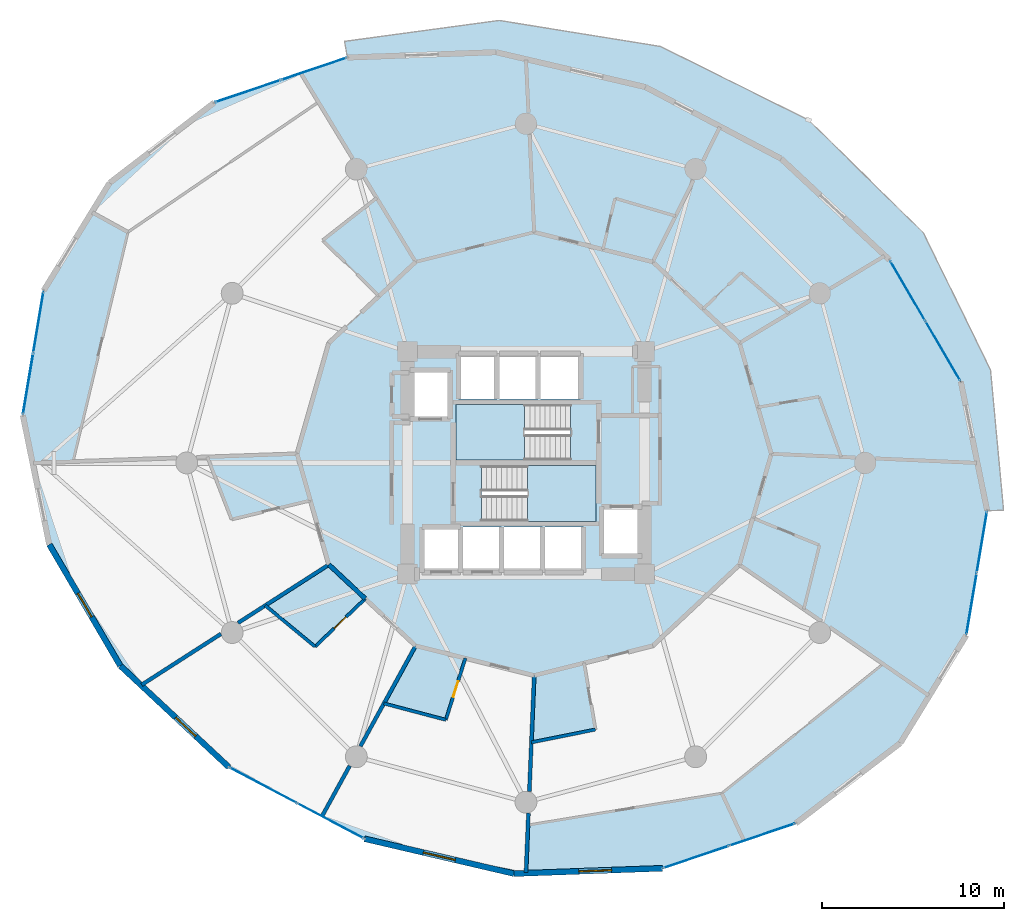
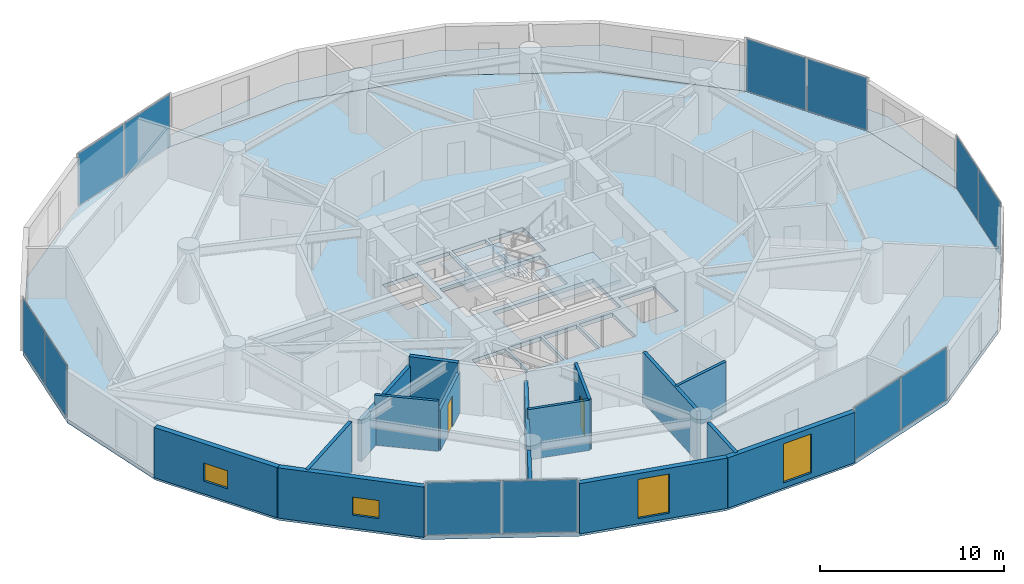
# One storey, part 17 of 23: 16 walls, 12 plates, 4 slabs, 4 windows, 2 doors, 6 openings, 8 elements without a shape of their own.
"""IFC4 building model written with IfcOpenShell, lengths in metres."""

import ifcopenshell
import ifcopenshell.guid

model = None  # the IFC model being written
_history = None  # IfcOwnerHistory: only IFC2X3 demands one
_inside = {}  # id of a spatial element -> (the spatial element, [elements in it])
_under = {}  # id of a project, library or spatial element -> (it, [spatial elements below it])
_declared = {}  # id of a project -> (the project, [libraries it declares])
_typed = {}  # id of a type object -> (the type object, [elements of that type])
_made_of = {}  # id of a material, layer set ... -> (it, [elements and type objects made of it])


def new_model(schema):
    """Start an empty IFC model of exactly this schema.

    Asked for "IFC4X3", IfcOpenShell would pick the latest addendum, in which some entities
    have other attributes; the version numbers below select the first issue.
    IFC2X3 requires an IfcOwnerHistory on every rooted entity: one is made here for all.
    """
    global model, _history
    if schema == "IFC4X3":
        model = ifcopenshell.file(schema_version=(4, 3, 0, 0))
    else:
        model = ifcopenshell.file(schema=schema)
    _inside.clear()
    _under.clear()
    _declared.clear()
    _typed.clear()
    _made_of.clear()
    _history = None
    if model.schema == "IFC2X3":
        org = make("IfcOrganization", Name="unknown")
        user = make(
            "IfcPersonAndOrganization",
            ThePerson=make("IfcPerson", FamilyName="unknown"),
            TheOrganization=org,
        )
        app = make(
            "IfcApplication",
            ApplicationDeveloper=org,
            Version="unknown",
            ApplicationFullName="unknown",
            ApplicationIdentifier="unknown",
        )
        _history = make(
            "IfcOwnerHistory",
            OwningUser=user,
            OwningApplication=app,
            ChangeAction="ADDED",
            CreationDate=0,
        )
    return model


def make(cls, **values):
    """One entity of the class cls with the attributes given. An attribute that is None is left unset."""
    return model.create_entity(
        cls, **{name: value for name, value in values.items() if value is not None}
    )


def rooted(cls, **values):
    """An entity with a GlobalId (a new one), such as an element, a storey or a relation."""
    return make(cls, GlobalId=ifcopenshell.guid.new(), OwnerHistory=_history, **values)


def si_unit(unit_type, name, prefix=None):
    """IfcSIUnit, for example si_unit("LENGTHUNIT", "METRE", prefix="MILLI")."""
    return make("IfcSIUnit", UnitType=unit_type, Prefix=prefix, Name=name)


def assignment(units):
    """IfcUnitAssignment: the units of a project."""
    return None if units is None else make("IfcUnitAssignment", Units=units)


def point(xyz):
    """IfcCartesianPoint."""
    return None if xyz is None else make("IfcCartesianPoint", Coordinates=xyz)


def direction(xyz):
    """IfcDirection."""
    return None if xyz is None else make("IfcDirection", DirectionRatios=xyz)


def frame(location, z_axis=None, x_axis=None):
    """IfcAxis2Placement3D, a coordinate frame: its origin and axes. An axis left out is left unset."""
    return make(
        "IfcAxis2Placement3D",
        Location=point(location),
        Axis=direction(z_axis),
        RefDirection=direction(x_axis),
    )


def frame_2d(location, x_axis=None):
    """IfcAxis2Placement2D, a coordinate frame in the plane: its origin and x axis."""
    return make(
        "IfcAxis2Placement2D", Location=point(location), RefDirection=direction(x_axis)
    )


def origin():
    """The frame at (0, 0, 0) with its axes left unset."""
    return frame((0.0, 0.0, 0.0))


def origin_2d():
    """The frame at (0, 0) in the plane with its x axis left unset."""
    return frame_2d((0.0, 0.0))


def place(relative_to, where):
    """IfcLocalPlacement: puts the frame where relative to a parent placement (None: the world)."""
    return make(
        "IfcLocalPlacement", PlacementRelTo=relative_to, RelativePlacement=where
    )


def context(
    kind, dimensions, precision=None, world=None, true_north=None, identifier=None
):
    """IfcGeometricRepresentationContext, for example the 3D "Model" context."""
    return make(
        "IfcGeometricRepresentationContext",
        ContextIdentifier=identifier,
        ContextType=kind,
        CoordinateSpaceDimension=dimensions,
        Precision=precision,
        WorldCoordinateSystem=world,
        TrueNorth=true_north,
    )


def subcontext(parent, identifier, kind, view, scale=None):
    """IfcGeometricRepresentationSubContext, for example "Body" below "Model"."""
    return make(
        "IfcGeometricRepresentationSubContext",
        ContextIdentifier=identifier,
        ContextType=kind,
        ParentContext=parent,
        TargetScale=scale,
        TargetView=view,
    )


def project(units=None, contexts=None):
    """IfcProject with its units and contexts."""
    return rooted(
        "IfcProject",
        Name="project",
        RepresentationContexts=contexts,
        UnitsInContext=assignment(units),
    )


def spatial(cls, under=None, at=None, **own):
    """A site, building, storey or space (cls), placed at a placement, below another one or the project."""
    s = rooted(cls, ObjectPlacement=at, **own)
    if under is not None:
        _under.setdefault(under.id(), (under, []))[1].append(s)
    return s


def polyline(points):
    """IfcPolyline through the points."""
    return make("IfcPolyline", Points=[point(p) for p in points])


def profile(cls, at=None, kind="AREA", **sizes):
    """A parametric profile (cls). Its sizes go by their IFC names, for example OverallWidth=200.0."""
    return make(cls, ProfileType=kind, Position=at, **sizes)


def rectangle(**sizes):
    """IfcRectangleProfileDef."""
    return profile("IfcRectangleProfileDef", **sizes)


def outline(outer, holes=None, kind="AREA"):
    """IfcArbitraryClosedProfileDef: a profile drawn as a closed curve; with holes, ...WithVoids."""
    if holes is None:
        return make("IfcArbitraryClosedProfileDef", ProfileType=kind, OuterCurve=outer)
    return make(
        "IfcArbitraryProfileDefWithVoids",
        ProfileType=kind,
        OuterCurve=outer,
        InnerCurves=holes,
    )


def extrude(swept, where, along, depth):
    """IfcExtrudedAreaSolid: the profile swept, set in the frame where, extruded along a direction by depth."""
    return make(
        "IfcExtrudedAreaSolid",
        SweptArea=swept,
        Position=where,
        ExtrudedDirection=direction(along),
        Depth=depth,
    )


def shape(context_of_items, identifier, shape_type, items):
    """IfcShapeRepresentation: the items that make up one representation, for example the "Body"."""
    return make(
        "IfcShapeRepresentation",
        ContextOfItems=context_of_items,
        RepresentationIdentifier=identifier,
        RepresentationType=shape_type,
        Items=items,
    )


def source(mapping_origin, context_of_items, identifier, shape_type, items):
    """IfcRepresentationMap: a shape defined once, which mapped items show again and again."""
    return make(
        "IfcRepresentationMap",
        MappingOrigin=mapping_origin,
        MappedRepresentation=shape(context_of_items, identifier, shape_type, items),
    )


def transform(
    local_origin,
    x_axis=None,
    y_axis=None,
    z_axis=None,
    scale=None,
    scale2=None,
    scale3=None,
    uniform=True,
):
    """IfcCartesianTransformationOperator3D, or its non-uniform kind. x_axis, y_axis, z_axis: its Axis1, 2, 3."""
    if uniform:
        return make(
            "IfcCartesianTransformationOperator3D",
            Axis1=direction(x_axis),
            Axis2=direction(y_axis),
            LocalOrigin=point(local_origin),
            Scale=scale,
            Axis3=direction(z_axis),
        )
    return make(
        "IfcCartesianTransformationOperator3DnonUniform",
        Axis1=direction(x_axis),
        Axis2=direction(y_axis),
        LocalOrigin=point(local_origin),
        Scale=scale,
        Axis3=direction(z_axis),
        Scale2=scale2,
        Scale3=scale3,
    )


def mapped(mapping_source, mapping_target):
    """IfcMappedItem: shows the shape of a source again, moved by a transform."""
    return make(
        "IfcMappedItem", MappingSource=mapping_source, MappingTarget=mapping_target
    )


def material(Name=None, Category=None):
    """IfcMaterial."""
    return make("IfcMaterial", Name=Name, Category=Category)


def layer(
    of_material, thickness, ventilated=None, Name=None, Category=None, Priority=None
):
    """IfcMaterialLayer: one layer of a wall or slab, of a material (None: an air gap)."""
    return make(
        "IfcMaterialLayer",
        Material=of_material,
        LayerThickness=thickness,
        IsVentilated=ventilated,
        Name=Name,
        Category=Category,
        Priority=Priority,
    )


def layer_set(layers, Name=None):
    """IfcMaterialLayerSet."""
    return make("IfcMaterialLayerSet", MaterialLayers=layers, LayerSetName=Name)


def made_of(thing, what):
    """Note that an element or type object is made of a material, layer set ...; save() writes the relation."""
    if what is not None:
        _made_of.setdefault(what.id(), (what, []))[1].append(thing)
    return thing


def type_object(cls, material=None, **own):
    """A type object (cls), such as IfcWallType, which elements share."""
    return made_of(rooted(cls, **own), material)


def element(
    cls,
    number,
    at=None,
    inside=None,
    cuts=None,
    type_object=None,
    material=None,
    context=None,
    identifier="Body",
    shape_type=None,
    held_by="IfcProductDefinitionShape",
    body=None,
    shapes=None,
    **own,
):
    """One element of the class cls, such as IfcWall. Its Tag is "e" and its number.

    at: its placement. inside: the storey or other place that contains it. cuts: it is an
    opening in that element (IfcRelVoidsElement). A single representation is given by context,
    identifier, shape_type and body (its items); several are given by shapes. held_by: the class
    of the entity that holds the representations. save() writes the other relations.
    """
    e = rooted(cls, Tag="e%d" % number, ObjectPlacement=at, **own)
    if body is not None:
        shapes = [shape(context, identifier, shape_type, body)]
    if shapes is not None:
        e.Representation = make(held_by, Representations=shapes)
    if inside is not None:
        _inside.setdefault(inside.id(), (inside, []))[1].append(e)
    if cuts is not None:
        rooted(
            "IfcRelVoidsElement", RelatingBuildingElement=cuts, RelatedOpeningElement=e
        )
    if type_object is not None:
        _typed.setdefault(type_object.id(), (type_object, []))[1].append(e)
    return made_of(e, material)


def fill(opening, filler):
    """IfcRelFillsElement: the door or window that sits in an opening."""
    return rooted(
        "IfcRelFillsElement",
        RelatingOpeningElement=opening,
        RelatedBuildingElement=filler,
    )


def aggregate(whole, parts):
    """IfcRelAggregates: a whole, such as a stair, and the parts it consists of."""
    return rooted("IfcRelAggregates", RelatingObject=whole, RelatedObjects=parts)


def save(model, path):
    """Write the relations noted so far, then the file.

    IfcRelAggregates (storeys below a building ...), IfcRelContainedInSpatialStructure (elements
    in a storey), IfcRelDefinesByType, IfcRelAssociatesMaterial and IfcRelDeclares: one each for
    every whole, place, type object, material and project.
    """
    for whole, parts in _under.values():
        aggregate(whole, parts)
    for where, things in _inside.values():
        rooted(
            "IfcRelContainedInSpatialStructure",
            RelatedElements=things,
            RelatingStructure=where,
        )
    for kind, things in _typed.values():
        rooted("IfcRelDefinesByType", RelatedObjects=things, RelatingType=kind)
    for what, things in _made_of.values():
        rooted("IfcRelAssociatesMaterial", RelatedObjects=things, RelatingMaterial=what)
    for by, libraries in _declared.values():
        rooted("IfcRelDeclares", RelatingContext=by, RelatedDefinitions=libraries)
    model.write(path)


model = new_model("IFC4")

# Units and contexts
model_context = context("Model", 3, precision=1e-05, world=origin(), true_north=direction((0.0, 1.0)))
body_context = subcontext(model_context, "Body", "Model", "MODEL_VIEW")
ifc_project = project(units=[si_unit("LENGTHUNIT", "METRE"), si_unit("AREAUNIT", "SQUARE_METRE"), si_unit("VOLUMEUNIT", "CUBIC_METRE"), si_unit("PLANEANGLEUNIT", "RADIAN"), si_unit("MASSUNIT", "GRAM", prefix="KILO")], contexts=[model_context])

# Site, building, storey
site_placement = place(None, origin())
site = spatial("IfcSite", under=ifc_project, at=site_placement, CompositionType="ELEMENT")
building_placement = place(site_placement, origin())
building = spatial("IfcBuilding", under=site, at=building_placement, Name="Solvirekh Grand Hotel", CompositionType="ELEMENT")
storey_placement = place(building_placement, frame((0.0, 0.0, 75.199951171875)))
storey = spatial("IfcBuildingStorey", under=building, at=storey_placement, Name="L18", CompositionType="ELEMENT", Elevation=75.199951171875)

# Slab
ifc_material_1 = material(Name="Concrete C50/60", Category="concrete")
ifc_layer_1 = layer(ifc_material_1, 0.215087890625)
ifc_layer_set_1 = layer_set([ifc_layer_1], Name="Concrete C50/60")
slab_type_1 = type_object("IfcSlabType", Name="ExtCrescentBalc_215", PredefinedType="FLOOR", material=ifc_layer_set_1)
slab_1_placement = place(storey_placement, frame((0.0, 0.0, -0.21484375)))
element("IfcSlab", 1, at=slab_1_placement, inside=storey, type_object=slab_type_1, Name="L18 sweeping crescent balcony slab", PredefinedType="FLOOR", context=body_context, shape_type="SweptSolid", body=[
    extrude(outline(polyline([(26.18408203125, -2.595947265625), (25.468017578125, 5.10498046875), (21.791015625, 12.610107421875), (15.489013671875, 18.802978515625), (7.376953125, 22.83203125), (-1.472900390625, 24.260986328125), (-9.947998046875, 23.112060546875), (-9.7900390625, 22.22607421875), (-1.64501953125, 22.52001953125), (6.547119140625, 20.60888671875), (13.987060546875, 16.681884765625), (19.944091796875, 11.12109375), (23.8369140625, 4.470947265625), (25.283935546875, -2.615966796875), (26.18408203125, -2.595947265625)])), origin(), (0.0, 0.0, 1.0), 0.21484375),
])

# Stair, slab
ifc_material_2 = material(Name="Concrete C40/50", Category="concrete")
stair_type = type_object("IfcStairType", Name="Stair_Core_1450", PredefinedType="HALF_TURN_STAIR", material=ifc_material_2)
stair_1_placement = place(storey_placement, origin())
stair_1 = element("IfcStair", 2, at=stair_1_placement, inside=storey, type_object=stair_type, Name="L18 Enclosed exit stair ST-1", PredefinedType="HALF_TURN_STAIR")
ifc_layer_2 = layer(ifc_material_2, 0.199951171875)
ifc_layer_set_2 = layer_set([ifc_layer_2], Name="Concrete C40/50")
slab_type_2 = type_object("IfcSlabType", Name="Landing_Stair_200", PredefinedType="LANDING", material=ifc_layer_set_2)
slab_2_placement = place(storey_placement, frame((0.0, 0.0, 1.60009765625)))
slab_2 = element("IfcSlab", 3, at=slab_2_placement, type_object=slab_type_2, Name="ST-1 landing 1", PredefinedType="LANDING", context=body_context, shape_type="SweptSolid", body=[
    extrude(outline(polyline([(0.070068359375, -3.199951171875), (3.85009765625, -3.199951171875), (3.85009765625, -0.14990234375), (0.070068359375, -0.14990234375), (0.070068359375, -3.199951171875)])), origin(), (0.0, 0.0, 1.0), 0.199951171875),
])
aggregate(stair_1, [slab_2])

stair_2_placement = place(storey_placement, origin())
stair_2 = element("IfcStair", 4, at=stair_2_placement, inside=storey, type_object=stair_type, Name="L18 Enclosed exit stair ST-2", PredefinedType="HALF_TURN_STAIR")
slab_3_placement = place(storey_placement, frame((0.0, 0.0, 1.60009765625)))
slab_3 = element("IfcSlab", 5, at=slab_3_placement, type_object=slab_type_2, Name="ST-2 landing 1", PredefinedType="LANDING", context=body_context, shape_type="SweptSolid", body=[
    extrude(outline(polyline([(-0.070068359375, 3.199951171875), (-3.85009765625, 3.199951171875), (-3.85009765625, 0.14990234375), (-0.070068359375, 0.14990234375), (-0.070068359375, 3.199951171875)])), origin(), (0.0, 0.0, 1.0), 0.199951171875),
])
aggregate(stair_2, [slab_3])

# Slab
ifc_layer_3 = layer(ifc_material_1, 0.260009765625)
ifc_layer_set_3 = layer_set([ifc_layer_3], Name="Concrete C50/60")
slab_type_3 = type_object("IfcSlabType", Name="Slab_GuestZ1_260", PredefinedType="FLOOR", material=ifc_layer_set_3)
slab_4_placement = place(storey_placement, frame((0.0, 0.0, -0.260009765625)))
element("IfcSlab", 6, at=slab_4_placement, inside=storey, type_object=slab_type_3, Name="L18 structural floor slab", PredefinedType="FLOOR", context=body_context, shape_type="SweptSolid", body=[
    extrude(outline(polyline([(24.14306640625, -9.447021484375), (25.283935546875, -2.615966796875), (23.8369140625, 4.470947265625), (19.944091796875, 11.12109375), (13.987060546875, 16.681884765625), (6.547119140625, 20.60888671875), (-1.64501953125, 22.52001953125), (-9.7900390625, 22.22607421875), (-17.087890625, 19.757080078125), (-22.826904296875, 15.35302734375), (-26.443115234375, 9.447021484375), (-27.583984375, 2.615966796875), (-26.136962890625, -4.470947265625), (-22.243896484375, -11.12109375), (-16.287109375, -16.681884765625), (-8.846923828125, -20.60888671875), (-0.655029296875, -22.52001953125), (7.489990234375, -22.22607421875), (14.7880859375, -19.757080078125), (20.527099609375, -15.35302734375), (24.14306640625, -9.447021484375)]), holes=[polyline([(-2.444091796875, -0.14990234375), (3.85009765625, -0.14990234375), (3.85009765625, -3.199951171875), (-2.444091796875, -3.199951171875), (-2.444091796875, -0.14990234375)]), polyline([(2.444091796875, 0.14990234375), (-3.85009765625, 0.14990234375), (-3.85009765625, 3.199951171875), (2.444091796875, 3.199951171875), (2.444091796875, 0.14990234375)]), polyline([(-5.699951171875, -3.5), (-3.60009765625, -3.5), (-3.60009765625, -6.0), (-5.699951171875, -6.0), (-5.699951171875, -3.5)]), polyline([(-3.449951171875, -3.5), (-1.35009765625, -3.5), (-1.35009765625, -6.0), (-3.449951171875, -6.0), (-3.449951171875, -3.5)]), polyline([(-1.199951171875, -3.5), (0.89990234375, -3.5), (0.89990234375, -6.0), (-1.199951171875, -6.0), (-1.199951171875, -3.5)]), polyline([(1.050048828125, -3.5), (3.14990234375, -3.5), (3.14990234375, -6.0), (1.050048828125, -6.0), (1.050048828125, -3.5)]), polyline([(-3.699951171875, 6.0), (-1.60009765625, 6.0), (-1.60009765625, 3.5), (-3.699951171875, 3.5), (-3.699951171875, 6.0)]), polyline([(-1.449951171875, 6.0), (0.64990234375, 6.0), (0.64990234375, 3.5), (-1.449951171875, 3.5), (-1.449951171875, 6.0)]), polyline([(0.800048828125, 6.0), (3.0, 6.0), (3.0, 3.5), (0.800048828125, 3.5), (0.800048828125, 6.0)]), polyline([(-6.35009765625, 5.10009765625), (-4.14990234375, 5.10009765625), (-4.14990234375, 2.39990234375), (-6.35009765625, 2.39990234375), (-6.35009765625, 5.10009765625)]), polyline([(4.14990234375, -2.39990234375), (6.35009765625, -2.39990234375), (6.35009765625, -5.10009765625), (4.14990234375, -5.10009765625), (4.14990234375, -2.39990234375)])]), origin(), (0.0, 0.0, 1.0), 0.260009765625),
])

# Curtain wall, plates
ifc_material_3 = material(Name="Anodized Bronze Aluminium 6063-T6", Category="aluminium")
ifc_layer_4 = layer(ifc_material_3, 0.18994140625)
ifc_layer_set_4 = layer_set([ifc_layer_4], Name="Anodized Bronze Aluminium 6063-T6")
curtain_wall_type = type_object("IfcCurtainWallType", Name="CW_Sys2_LowZoneFlushBronzeCW", PredefinedType="NOTDEFINED", material=ifc_layer_set_4)
curtain_wall_1_placement = place(storey_placement, origin())
curtain_wall_1 = element("IfcCurtainWall", 7, at=curtain_wall_1_placement, inside=storey, type_object=curtain_wall_type, Name="L18 unitised bronze-glass curtain wall CW-L18-C08", PredefinedType="NOTDEFINED")
ifc_material_4 = material(Name="Low-E Tinted Bronze Laminated Glass", Category="aluminium")
ifc_layer_5 = layer(ifc_material_4, 0.0380859375)
ifc_layer_set_5 = layer_set([ifc_layer_5], Name="Low-E Tinted Bronze Laminated Glass")
plate_type = type_object("IfcPlateType", Name="CWPanel_Low_38", PredefinedType="CURTAIN_PANEL", material=ifc_layer_set_5)
shared_shape_1 = source(origin(), body_context, "Body", "SweptSolid", [
    extrude(rectangle(XDim=3.7470703125, YDim=0.0380859375, at=origin_2d()), origin(), (0.0, 0.0, 1.0), 3.47998046875),
])
plate_1_placement = place(storey_placement, frame((-11.631103515625, 21.60302734375, 0.06005859375), z_axis=(0.0, 0.0, 1.0), x_axis=(-0.947259015402, -0.320468965331, 0.0)))
plate_1 = element("IfcPlate", 8, at=plate_1_placement, type_object=plate_type, Name="U02 panel 1.1", PredefinedType="CURTAIN_PANEL", context=body_context, shape_type="MappedRepresentation", body=[
    mapped(shared_shape_1, transform((0.0, 0.0, 0.0), x_axis=(1.0, 0.0, 0.0), y_axis=(0.0, 1.0, 0.0), z_axis=(0.0, 0.0, 1.0), scale=1.0)),
])
plate_2_placement = place(storey_placement, frame((-15.246826171875, 20.3798828125, 0.06005859375), z_axis=(0.0, 0.0, 1.0), x_axis=(-0.947259015402, -0.320468965331, 0.0)))
plate_2 = element("IfcPlate", 9, at=plate_2_placement, type_object=plate_type, Name="U02 panel 2.1", PredefinedType="CURTAIN_PANEL", context=body_context, shape_type="MappedRepresentation", body=[
    mapped(shared_shape_1, transform((0.0, 0.0, 0.0), x_axis=(1.0, 0.0, 0.0), y_axis=(0.0, 1.0, 0.0), z_axis=(0.0, 0.0, 1.0), scale=1.0)),
])
aggregate(curtain_wall_1, [plate_1, plate_2])

curtain_wall_2_placement = place(storey_placement, origin())
curtain_wall_2 = element("IfcCurtainWall", 10, at=curtain_wall_2_placement, inside=storey, type_object=curtain_wall_type, Name="L18 unitised bronze-glass curtain wall CW-L18-C18", PredefinedType="NOTDEFINED")
plate_3_placement = place(storey_placement, frame((9.3310546875, -21.60302734375, 0.06005859375), z_axis=(0.0, 0.0, 1.0), x_axis=(0.947259015402, 0.320468965331, 0.0)))
plate_3 = element("IfcPlate", 11, at=plate_3_placement, type_object=plate_type, Name="U02 panel 1.1", PredefinedType="CURTAIN_PANEL", context=body_context, shape_type="MappedRepresentation", body=[
    mapped(shared_shape_1, transform((0.0, 0.0, 0.0), x_axis=(1.0, 0.0, 0.0), y_axis=(0.0, 1.0, 0.0), z_axis=(0.0, 0.0, 1.0), scale=1.0)),
])
plate_4_placement = place(storey_placement, frame((12.947021484375, -20.3798828125, 0.06005859375), z_axis=(0.0, 0.0, 1.0), x_axis=(0.947259015402, 0.320468965331, 0.0)))
plate_4 = element("IfcPlate", 12, at=plate_4_placement, type_object=plate_type, Name="U02 panel 2.1", PredefinedType="CURTAIN_PANEL", context=body_context, shape_type="MappedRepresentation", body=[
    mapped(shared_shape_1, transform((0.0, 0.0, 0.0), x_axis=(1.0, 0.0, 0.0), y_axis=(0.0, 1.0, 0.0), z_axis=(0.0, 0.0, 1.0), scale=1.0)),
])
aggregate(curtain_wall_2, [plate_3, plate_4])

curtain_wall_3_placement = place(storey_placement, origin())
curtain_wall_3 = element("IfcCurtainWall", 13, at=curtain_wall_3_placement, inside=storey, type_object=curtain_wall_type, Name="L18 unitised bronze-glass curtain wall CW-L18-C01", PredefinedType="NOTDEFINED")
shared_shape_2 = source(origin(), body_context, "Body", "SweptSolid", [
    extrude(rectangle(XDim=3.35791015625, YDim=0.0380859375, at=origin_2d()), origin(), (0.0, 0.0, 1.0), 3.47998046875),
])
plate_5_placement = place(storey_placement, frame((24.43115234375, -7.721923828125, 0.06005859375), z_axis=(0.0, 0.0, 1.0), x_axis=(0.164750198387, 0.986335324386, 0.0)))
plate_5 = element("IfcPlate", 14, at=plate_5_placement, type_object=plate_type, Name="U02 panel 1.1", PredefinedType="CURTAIN_PANEL", context=body_context, shape_type="MappedRepresentation", body=[
    mapped(shared_shape_2, transform((0.0, 0.0, 0.0), x_axis=(1.0, 0.0, 0.0), y_axis=(0.0, 1.0, 0.0), z_axis=(0.0, 0.0, 1.0), scale=1.0)),
])
plate_6_placement = place(storey_placement, frame((24.995849609375, -4.341064453125, 0.06005859375), z_axis=(0.0, 0.0, 1.0), x_axis=(0.164750198387, 0.986335324386, 0.0)))
plate_6 = element("IfcPlate", 15, at=plate_6_placement, type_object=plate_type, Name="U02 panel 2.1", PredefinedType="CURTAIN_PANEL", context=body_context, shape_type="MappedRepresentation", body=[
    mapped(shared_shape_2, transform((0.0, 0.0, 0.0), x_axis=(1.0, 0.0, 0.0), y_axis=(0.0, 1.0, 0.0), z_axis=(0.0, 0.0, 1.0), scale=1.0)),
])
aggregate(curtain_wall_3, [plate_5, plate_6])

curtain_wall_4_placement = place(storey_placement, origin())
curtain_wall_4 = element("IfcCurtainWall", 16, at=curtain_wall_4_placement, inside=storey, type_object=curtain_wall_type, Name="L18 unitised bronze-glass curtain wall CW-L18-C11", PredefinedType="NOTDEFINED")
plate_7_placement = place(storey_placement, frame((-26.731201171875, 7.721923828125, 0.06005859375), z_axis=(0.0, 0.0, 1.0), x_axis=(-0.164750198387, -0.986335324386, 0.0)))
plate_7 = element("IfcPlate", 17, at=plate_7_placement, type_object=plate_type, Name="U02 panel 1.1", PredefinedType="CURTAIN_PANEL", context=body_context, shape_type="MappedRepresentation", body=[
    mapped(shared_shape_2, transform((0.0, 0.0, 0.0), x_axis=(1.0, 0.0, 0.0), y_axis=(0.0, 1.0, 0.0), z_axis=(0.0, 0.0, 1.0), scale=1.0)),
])
plate_8_placement = place(storey_placement, frame((-27.2958984375, 4.341064453125, 0.06005859375), z_axis=(0.0, 0.0, 1.0), x_axis=(-0.164750198387, -0.986335324386, 0.0)))
plate_8 = element("IfcPlate", 18, at=plate_8_placement, type_object=plate_type, Name="U02 panel 2.1", PredefinedType="CURTAIN_PANEL", context=body_context, shape_type="MappedRepresentation", body=[
    mapped(shared_shape_2, transform((0.0, 0.0, 0.0), x_axis=(1.0, 0.0, 0.0), y_axis=(0.0, 1.0, 0.0), z_axis=(0.0, 0.0, 1.0), scale=1.0)),
])
aggregate(curtain_wall_4, [plate_7, plate_8])

curtain_wall_5_placement = place(storey_placement, origin())
curtain_wall_5 = element("IfcCurtainWall", 19, at=curtain_wall_5_placement, inside=storey, type_object=curtain_wall_type, Name="L18 unitised bronze-glass curtain wall CW-L18-C03", PredefinedType="NOTDEFINED")
shared_shape_3 = source(origin(), body_context, "Body", "SweptSolid", [
    extrude(rectangle(XDim=3.747802734375, YDim=0.0380859375, at=origin_2d()), origin(), (0.0, 0.0, 1.0), 3.47998046875),
])
plate_9_placement = place(storey_placement, frame((22.85498046875, 6.148681640625, 0.06005859375), z_axis=(0.0, 0.0, 1.0), x_axis=(-0.505209847898, 0.862996529302, 0.0)))
plate_9 = element("IfcPlate", 20, at=plate_9_placement, type_object=plate_type, Name="U02 panel 1.1", PredefinedType="CURTAIN_PANEL", context=body_context, shape_type="MappedRepresentation", body=[
    mapped(shared_shape_3, transform((0.0, 0.0, 0.0), x_axis=(1.0, 0.0, 0.0), y_axis=(0.0, 1.0, 0.0), z_axis=(0.0, 0.0, 1.0), scale=1.0)),
])
plate_10_placement = place(storey_placement, frame((20.926025390625, 9.443359375, 0.06005859375), z_axis=(0.0, 0.0, 1.0), x_axis=(-0.505209847898, 0.862996529302, 0.0)))
plate_10 = element("IfcPlate", 21, at=plate_10_placement, type_object=plate_type, Name="U02 panel 2.1", PredefinedType="CURTAIN_PANEL", context=body_context, shape_type="MappedRepresentation", body=[
    mapped(shared_shape_3, transform((0.0, 0.0, 0.0), x_axis=(1.0, 0.0, 0.0), y_axis=(0.0, 1.0, 0.0), z_axis=(0.0, 0.0, 1.0), scale=1.0)),
])
aggregate(curtain_wall_5, [plate_9, plate_10])

curtain_wall_6_placement = place(storey_placement, origin())
curtain_wall_6 = element("IfcCurtainWall", 22, at=curtain_wall_6_placement, inside=storey, type_object=curtain_wall_type, Name="L18 unitised bronze-glass curtain wall CW-L18-C15", PredefinedType="NOTDEFINED")
shared_shape_4 = source(origin(), body_context, "Body", "SweptSolid", [
    extrude(rectangle(XDim=4.101318359375, YDim=0.0380859375, at=origin_2d()), origin(), (0.0, 0.0, 1.0), 3.47998046875),
])
plate_11_placement = place(storey_placement, frame((-14.41162109375, -17.671875, 0.06005859375), z_axis=(0.0, 0.0, 1.0), x_axis=(0.884368396474, -0.466789609265, 0.0)))
plate_11 = element("IfcPlate", 23, at=plate_11_placement, type_object=plate_type, Name="U02 panel 1.1", PredefinedType="CURTAIN_PANEL", context=body_context, shape_type="MappedRepresentation", body=[
    mapped(shared_shape_4, transform((0.0, 0.0, 0.0), x_axis=(1.0, 0.0, 0.0), y_axis=(0.0, 1.0, 0.0), z_axis=(0.0, 0.0, 1.0), scale=1.0)),
])
plate_12_placement = place(storey_placement, frame((-10.722412109375, -19.619140625, 0.06005859375), z_axis=(0.0, 0.0, 1.0), x_axis=(0.884368396474, -0.466789609265, 0.0)))
plate_12 = element("IfcPlate", 24, at=plate_12_placement, type_object=plate_type, Name="U02 panel 2.1", PredefinedType="CURTAIN_PANEL", context=body_context, shape_type="MappedRepresentation", body=[
    mapped(shared_shape_4, transform((0.0, 0.0, 0.0), x_axis=(1.0, 0.0, 0.0), y_axis=(0.0, 1.0, 0.0), z_axis=(0.0, 0.0, 1.0), scale=1.0)),
])
aggregate(curtain_wall_6, [plate_11, plate_12])

# Wall, opening, window
ifc_material_5 = material(Name="Precast concrete C45/55", Category="concrete")
ifc_layer_6 = layer(ifc_material_5, 0.320068359375)
ifc_layer_set_6 = layer_set([ifc_layer_6], Name="Precast concrete C45/55")
wall_type_1 = type_object("IfcWallType", Name="ExtLobbyWall_RC320", PredefinedType="SOLIDWALL", material=ifc_layer_set_6)
wall_1_placement = place(storey_placement, frame((-22.243896484375, -11.12109375, 0.0), z_axis=(0.0, 0.0, 1.0), x_axis=(-0.505207977972, 0.862997623979, 0.0)))
wall_1 = element("IfcWall", 25, at=wall_1_placement, inside=storey, type_object=wall_type_1, Name="L18 cantilevered deck support wall chord 13", PredefinedType="SOLIDWALL", context=body_context, shape_type="SweptSolid", body=[
    extrude(rectangle(XDim=7.705810546875, YDim=0.320068359375, at=frame_2d((3.85302734375, 0.0))), origin(), (0.0, 0.0, 1.0), 3.340087890625),
])
opening_1_placement = place(wall_1_placement, frame((3.10302734375, 0.0, 0.85009765625)))
opening_1 = element("IfcOpeningElement", 26, at=opening_1_placement, cuts=wall_1, Name="Opening W05", PredefinedType="OPENING", context=body_context, shape_type="SweptSolid", body=[
    extrude(rectangle(XDim=1.5, YDim=1.199951171875, at=frame_2d((0.75, 0.60009765625))), frame((0.0, 0.169921875, 0.0), z_axis=(0.0, -1.0, 0.0), x_axis=(1.0, 0.0, 0.0)), (0.0, 0.0, 1.0), 0.340087890625),
])
window_type_1 = type_object("IfcWindowType", Name="Win_PlantVent_1500X1200", PartitioningType="SINGLE_PANEL", PredefinedType="WINDOW", material=ifc_material_4)
window_1_placement = place(opening_1_placement, origin())
window_1 = element("IfcWindow", 27, at=window_1_placement, inside=storey, type_object=window_type_1, Name="L18 bronze-framed vision ribbon window 13", OverallHeight=1.199951171875, OverallWidth=1.5, PartitioningType="SINGLE_PANEL", PredefinedType="WINDOW", context=body_context, shape_type="SweptSolid", body=[
    extrude(rectangle(XDim=1.5, YDim=1.199951171875, at=frame_2d((0.75, 0.60009765625))), frame((0.0, 0.030029296875, 0.0), z_axis=(0.0, -1.0, 0.0), x_axis=(1.0, 0.0, 0.0)), (0.0, 0.0, 1.0), 0.06005859375),
])
fill(opening_1, window_1)

wall_2_placement = place(storey_placement, frame((-16.287109375, -16.681884765625, 0.0), z_axis=(0.0, 0.0, 1.0), x_axis=(-0.730986520917, 0.682391900771, 0.0)))
wall_2 = element("IfcWall", 28, at=wall_2_placement, inside=storey, type_object=wall_type_1, Name="L18 cantilevered deck support wall chord 14", PredefinedType="SOLIDWALL", context=body_context, shape_type="SweptSolid", body=[
    extrude(rectangle(XDim=8.14892578125, YDim=0.320068359375, at=frame_2d((4.074462890625, 0.0))), origin(), (0.0, 0.0, 1.0), 3.340087890625),
])
opening_2_placement = place(wall_2_placement, frame((2.489013671875, 0.0, 0.85009765625)))
opening_2 = element("IfcOpeningElement", 29, at=opening_2_placement, cuts=wall_2, Name="Opening W05", PredefinedType="OPENING", context=body_context, shape_type="SweptSolid", body=[
    extrude(rectangle(XDim=1.5, YDim=1.199951171875, at=frame_2d((0.75, 0.60009765625))), frame((0.0, 0.169921875, 0.0), z_axis=(0.0, -1.0, 0.0), x_axis=(1.0, 0.0, 0.0)), (0.0, 0.0, 1.0), 0.340087890625),
])
window_2_placement = place(opening_2_placement, origin())
window_2 = element("IfcWindow", 30, at=window_2_placement, inside=storey, type_object=window_type_1, Name="L18 bronze-framed vision ribbon window 14", OverallHeight=1.199951171875, OverallWidth=1.5, PartitioningType="SINGLE_PANEL", PredefinedType="WINDOW", context=body_context, shape_type="SweptSolid", body=[
    extrude(rectangle(XDim=1.5, YDim=1.199951171875, at=frame_2d((0.75, 0.60009765625))), frame((0.0, 0.030029296875, 0.0), z_axis=(0.0, -1.0, 0.0), x_axis=(1.0, 0.0, 0.0)), (0.0, 0.0, 1.0), 0.06005859375),
])
fill(opening_2, window_2)

wall_3_placement = place(storey_placement, frame((-0.655029296875, -22.52001953125, 0.0), z_axis=(0.0, 0.0, 1.0), x_axis=(-0.973849344218, 0.227194750746, 0.0)))
wall_3 = element("IfcWall", 31, at=wall_3_placement, inside=storey, type_object=wall_type_1, Name="L18 exterior structural wall chord 16", PredefinedType="SOLIDWALL", context=body_context, shape_type="SweptSolid", body=[
    extrude(rectangle(XDim=8.411865234375, YDim=0.320068359375, at=frame_2d((4.2060546875, 0.0))), origin(), (0.0, 0.0, 1.0), 3.340087890625),
])
opening_3_placement = place(wall_3_placement, frame((3.305908203125, 0.0, 0.35009765625)))
opening_3 = element("IfcOpeningElement", 32, at=opening_3_placement, cuts=wall_3, Name="Opening W02", PredefinedType="OPENING", context=body_context, shape_type="SweptSolid", body=[
    extrude(rectangle(XDim=1.800048828125, YDim=2.60009765625, at=frame_2d((0.89990234375, 1.300048828125))), frame((0.0, 0.169921875, 0.0), z_axis=(0.0, -1.0, 0.0), x_axis=(1.0, 0.0, 0.0)), (0.0, 0.0, 1.0), 0.340087890625),
])
window_type_2 = type_object("IfcWindowType", Name="Win_LobbyExt_1800X2600", PartitioningType="SINGLE_PANEL", PredefinedType="WINDOW", material=ifc_material_4)
window_3_placement = place(opening_3_placement, origin())
window_3 = element("IfcWindow", 33, at=window_3_placement, inside=storey, type_object=window_type_2, Name="L18 panoramic bronze-framed window 16", OverallHeight=2.60009765625, OverallWidth=1.800048828125, PartitioningType="SINGLE_PANEL", PredefinedType="WINDOW", context=body_context, shape_type="SweptSolid", body=[
    extrude(rectangle(XDim=1.800048828125, YDim=2.60009765625, at=frame_2d((0.89990234375, 1.300048828125))), frame((0.0, 0.030029296875, 0.0), z_axis=(0.0, -1.0, 0.0), x_axis=(1.0, 0.0, 0.0)), (0.0, 0.0, 1.0), 0.06005859375),
])
fill(opening_3, window_3)

wall_4_placement = place(storey_placement, frame((7.489990234375, -22.22607421875, 0.0), z_axis=(0.0, 0.0, 1.0), x_axis=(-0.999349428773, -0.03606548505, 0.0)))
wall_4 = element("IfcWall", 34, at=wall_4_placement, inside=storey, type_object=wall_type_1, Name="L18 exterior structural wall chord 17", PredefinedType="SOLIDWALL", context=body_context, shape_type="SweptSolid", body=[
    extrude(rectangle(XDim=8.150390625, YDim=0.320068359375, at=frame_2d((4.0751953125, 0.0))), origin(), (0.0, 0.0, 1.0), 3.340087890625),
])
opening_4_placement = place(wall_4_placement, frame((2.797119140625, 0.0, 0.35009765625)))
opening_4 = element("IfcOpeningElement", 35, at=opening_4_placement, cuts=wall_4, Name="Opening W02", PredefinedType="OPENING", context=body_context, shape_type="SweptSolid", body=[
    extrude(rectangle(XDim=1.800048828125, YDim=2.60009765625, at=frame_2d((0.89990234375, 1.300048828125))), frame((0.0, 0.169921875, 0.0), z_axis=(0.0, -1.0, 0.0), x_axis=(1.0, 0.0, 0.0)), (0.0, 0.0, 1.0), 0.340087890625),
])
window_4_placement = place(opening_4_placement, origin())
window_4 = element("IfcWindow", 36, at=window_4_placement, inside=storey, type_object=window_type_2, Name="L18 panoramic bronze-framed window 17", OverallHeight=2.60009765625, OverallWidth=1.800048828125, PartitioningType="SINGLE_PANEL", PredefinedType="WINDOW", context=body_context, shape_type="SweptSolid", body=[
    extrude(rectangle(XDim=1.800048828125, YDim=2.60009765625, at=frame_2d((0.89990234375, 1.300048828125))), frame((0.0, 0.030029296875, 0.0), z_axis=(0.0, -1.0, 0.0), x_axis=(1.0, 0.0, 0.0)), (0.0, 0.0, 1.0), 0.06005859375),
])
fill(opening_4, window_4)

# Walls
ifc_material_6 = material(Name="Acoustic Gypsum Partition Assembly")
ifc_layer_7 = layer(ifc_material_6, 0.239990234375)
ifc_layer_set_7 = layer_set([ifc_layer_7], Name="Acoustic Gypsum Partition Assembly")
wall_type_2 = type_object("IfcWallType", Name="Part_Corridor_240", PredefinedType="PARTITIONING", material=ifc_layer_set_7)
wall_5_placement = place(storey_placement, frame((-10.80810546875, -5.574951171875, 0.0), z_axis=(0.0, 0.0, 1.0), x_axis=(0.730449499178, -0.682966711597, 0.0)))
element("IfcWall", 37, at=wall_5_placement, inside=storey, type_object=wall_type_2, Name="L18 En-suite Bathroom 2003 corridor backing wall", PredefinedType="PARTITIONING", context=body_context, shape_type="SweptSolid", body=[
    extrude(rectangle(XDim=2.7353515625, YDim=0.239990234375, at=frame_2d((1.36767578125, 0.0))), origin(), (0.0, 0.0, 1.0), 3.340087890625),
])
ifc_layer_8 = layer(ifc_material_6, 0.2099609375)
ifc_layer_set_8 = layer_set([ifc_layer_8], Name="Acoustic Gypsum Partition Assembly")
wall_type_3 = type_object("IfcWallType", Name="Part_SuiteDemise_210", PredefinedType="PARTITIONING", material=ifc_layer_set_8)
wall_6_placement = place(storey_placement, frame((-10.80810546875, -5.574951171875, 0.0), z_axis=(0.0, 0.0, 1.0), x_axis=(-0.841434537704, -0.540359064659, 0.0)))
element("IfcWall", 38, at=wall_6_placement, inside=storey, type_object=wall_type_3, Name="L18 suite radial wall 8 (A)", PredefinedType="PARTITIONING", context=body_context, shape_type="SweptSolid", body=[
    extrude(rectangle(XDim=5.91455078125, YDim=0.2099609375, at=frame_2d((2.957275390625, 0.0))), origin(), (0.0, 0.0, 1.0), 2.708984375),
])
wall_7_placement = place(storey_placement, frame((-16.72412109375, -9.3740234375, 0.0), z_axis=(0.0, 0.0, 1.0), x_axis=(-0.841425650912, -0.540372902714, 0.0)))
element("IfcWall", 39, at=wall_7_placement, inside=storey, type_object=wall_type_3, Name="L18 suite radial wall 8 (B)", PredefinedType="PARTITIONING", context=body_context, shape_type="SweptSolid", body=[
    extrude(rectangle(XDim=5.1650390625, YDim=0.2099609375, at=frame_2d((2.58251953125, 0.0))), origin(), (0.0, 0.0, 1.0), 3.340087890625),
])
wall_8_placement = place(storey_placement, frame((-6.050048828125, -10.02197265625, 0.0), z_axis=(0.0, 0.0, 1.0), x_axis=(-0.481245933496, -0.876585621314, 0.0)))
element("IfcWall", 40, at=wall_8_placement, inside=storey, type_object=wall_type_3, Name="L18 suite radial wall 9 (A)", PredefinedType="PARTITIONING", context=body_context, shape_type="SweptSolid", body=[
    extrude(rectangle(XDim=6.283447265625, YDim=0.2099609375, at=frame_2d((3.1416015625, 0.0))), origin(), (0.0, 0.0, 1.0), 2.708984375),
])
wall_9_placement = place(storey_placement, frame((-9.666015625, -16.60791015625, 0.0), z_axis=(0.0, 0.0, 1.0), x_axis=(-0.481254091613, -0.876581142454, 0.0)))
element("IfcWall", 41, at=wall_9_placement, inside=storey, type_object=wall_type_3, Name="L18 suite radial wall 9 (B)", PredefinedType="PARTITIONING", context=body_context, shape_type="SweptSolid", body=[
    extrude(rectangle(XDim=3.116943359375, YDim=0.2099609375, at=frame_2d((1.55859375, 0.0))), origin(), (0.0, 0.0, 1.0), 3.340087890625),
])
wall_10_placement = place(storey_placement, frame((0.449951171875, -11.64990234375, 0.0), z_axis=(0.0, 0.0, 1.0), x_axis=(-0.041625757429, -0.999133272551, 0.0)))
element("IfcWall", 42, at=wall_10_placement, inside=storey, type_object=wall_type_3, Name="L18 suite radial wall 10 (A)", PredefinedType="PARTITIONING", context=body_context, shape_type="SweptSolid", body=[
    extrude(rectangle(XDim=6.36376953125, YDim=0.2099609375, at=frame_2d((3.181884765625, 0.0))), origin(), (0.0, 0.0, 1.0), 3.340087890625),
])
wall_11_placement = place(storey_placement, frame((0.135009765625, -19.205078125, 0.0), z_axis=(0.0, 0.0, 1.0), x_axis=(-0.041493222314, -0.999138785406, 0.0)))
element("IfcWall", 43, at=wall_11_placement, inside=storey, type_object=wall_type_3, Name="L18 suite radial wall 10 (B)", PredefinedType="PARTITIONING", context=body_context, shape_type="SweptSolid", body=[
    extrude(rectangle(XDim=3.253662109375, YDim=0.2099609375, at=frame_2d((1.626953125, 0.0))), origin(), (0.0, 0.0, 1.0), 3.340087890625),
])
ifc_layer_9 = layer(ifc_material_6, 0.175048828125)
ifc_layer_set_9 = layer_set([ifc_layer_9], Name="Acoustic Gypsum Partition Assembly")
wall_type_4 = type_object("IfcWallType", Name="Plumb_Ensuite_175", PredefinedType="PLUMBINGWALL", material=ifc_layer_set_9)
wall_12_placement = place(storey_placement, frame((-14.297119140625, -7.81591796875, 0.0), z_axis=(0.0, 0.0, 1.0), x_axis=(0.771064668328, -0.636756843117, 0.0)))
element("IfcWall", 44, at=wall_12_placement, inside=storey, type_object=wall_type_4, Name="L18 En-suite Bathroom 2003 outer plumbing wall", PredefinedType="PLUMBINGWALL", context=body_context, shape_type="SweptSolid", body=[
    extrude(rectangle(XDim=3.544677734375, YDim=0.175048828125, at=frame_2d((1.7724609375, 0.0))), origin(), (0.0, 0.0, 1.0), 3.340087890625),
])

# Wall, opening, door
wall_13_placement = place(storey_placement, frame((-8.81005859375, -7.443115234375, 0.0), z_axis=(0.0, 0.0, 1.0), x_axis=(-0.723204148778, -0.690634316546, 0.0)))
wall_13 = element("IfcWall", 45, at=wall_13_placement, inside=storey, type_object=wall_type_4, Name="L18 En-suite Bathroom 2003 entry plumbing wall", PredefinedType="PLUMBINGWALL", context=body_context, shape_type="SweptSolid", body=[
    extrude(rectangle(XDim=3.807861328125, YDim=0.175048828125, at=frame_2d((1.90380859375, 0.0))), origin(), (0.0, 0.0, 1.0), 2.708984375),
])
opening_5_placement = place(wall_13_placement, frame((1.4541015625, 0.0, 0.0)))
opening_5 = element("IfcOpeningElement", 46, at=opening_5_placement, cuts=wall_13, Name="Opening D09", PredefinedType="OPENING", context=body_context, shape_type="SweptSolid", body=[
    extrude(rectangle(XDim=0.89990234375, YDim=2.10009765625, at=frame_2d((0.449951171875, 1.050048828125))), frame((0.0, 0.09765625, 0.0), z_axis=(0.0, -1.0, 0.0), x_axis=(1.0, 0.0, 0.0)), (0.0, 0.0, 1.0), 0.195068359375),
])
door_type = type_object("IfcDoorType", Name="Door_Ensuite_900X2100", OperationType="NOTDEFINED", PredefinedType="DOOR", material=ifc_material_3)
door_1_placement = place(opening_5_placement, origin())
door_1 = element("IfcDoor", 47, at=door_1_placement, inside=storey, type_object=door_type, Name="L18 En-suite Bathroom 2003 door", OperationType="SINGLE_SWING_LEFT", OverallHeight=2.10009765625, OverallWidth=0.89990234375, PredefinedType="DOOR", context=body_context, shape_type="SweptSolid", body=[
    extrude(rectangle(XDim=0.89990234375, YDim=2.10009765625, at=frame_2d((0.449951171875, 1.050048828125))), frame((0.0, 0.02490234375, 0.0), z_axis=(0.0, -1.0, 0.0), x_axis=(1.0, 0.0, 0.0)), (0.0, 0.0, 1.0), 0.050048828125),
])
fill(opening_5, door_1)

# Wall
wall_14_placement = place(storey_placement, frame((-7.7890625, -13.18994140625, 0.0), z_axis=(0.0, 0.0, 1.0), x_axis=(0.966843650798, -0.255369056293, 0.0)))
element("IfcWall", 48, at=wall_14_placement, inside=storey, type_object=wall_type_4, Name="L18 En-suite Bathroom 2004 outer plumbing wall", PredefinedType="PLUMBINGWALL", context=body_context, shape_type="SweptSolid", body=[
    extrude(rectangle(XDim=3.512451171875, YDim=0.175048828125, at=frame_2d((1.75634765625, 0.0))), origin(), (0.0, 0.0, 1.0), 3.340087890625),
])

# Wall, opening, door
wall_15_placement = place(storey_placement, frame((-3.320068359375, -10.7060546875, 0.0), z_axis=(0.0, 0.0, 1.0), x_axis=(-0.302504693794, -0.953147895257, 0.0)))
wall_15 = element("IfcWall", 49, at=wall_15_placement, inside=storey, type_object=wall_type_4, Name="L18 En-suite Bathroom 2004 entry plumbing wall", PredefinedType="PLUMBINGWALL", context=body_context, shape_type="SweptSolid", body=[
    extrude(rectangle(XDim=3.547119140625, YDim=0.175048828125, at=frame_2d((1.7734375, 0.0))), origin(), (0.0, 0.0, 1.0), 3.340087890625),
])
opening_6_placement = place(wall_15_placement, frame((1.323974609375, 0.0, 0.0)))
opening_6 = element("IfcOpeningElement", 50, at=opening_6_placement, cuts=wall_15, Name="Opening D09", PredefinedType="OPENING", context=body_context, shape_type="SweptSolid", body=[
    extrude(rectangle(XDim=0.89990234375, YDim=2.10009765625, at=frame_2d((0.449951171875, 1.050048828125))), frame((0.0, 0.09765625, 0.0), z_axis=(0.0, -1.0, 0.0), x_axis=(1.0, 0.0, 0.0)), (0.0, 0.0, 1.0), 0.195068359375),
])
door_2_placement = place(opening_6_placement, origin())
door_2 = element("IfcDoor", 51, at=door_2_placement, inside=storey, type_object=door_type, Name="L18 En-suite Bathroom 2004 door", OperationType="SINGLE_SWING_LEFT", OverallHeight=2.10009765625, OverallWidth=0.89990234375, PredefinedType="DOOR", context=body_context, shape_type="SweptSolid", body=[
    extrude(rectangle(XDim=0.89990234375, YDim=2.10009765625, at=frame_2d((0.449951171875, 1.050048828125))), frame((0.0, 0.02490234375, 0.0), z_axis=(0.0, -1.0, 0.0), x_axis=(1.0, 0.0, 0.0)), (0.0, 0.0, 1.0), 0.050048828125),
])
fill(opening_6, door_2)

# Wall
wall_16_placement = place(storey_placement, frame((0.297119140625, -15.323974609375, 0.0), z_axis=(0.0, 0.0, 1.0), x_axis=(0.980380660632, 0.197113571979, 0.0)))
element("IfcWall", 52, at=wall_16_placement, inside=storey, type_object=wall_type_4, Name="L18 En-suite Bathroom 2005 outer plumbing wall", PredefinedType="PLUMBINGWALL", context=body_context, shape_type="SweptSolid", body=[
    extrude(rectangle(XDim=3.576904296875, YDim=0.175048828125, at=frame_2d((1.78857421875, 0.0))), origin(), (0.0, 0.0, 1.0), 3.340087890625),
])

save(model, "model.ifc")
